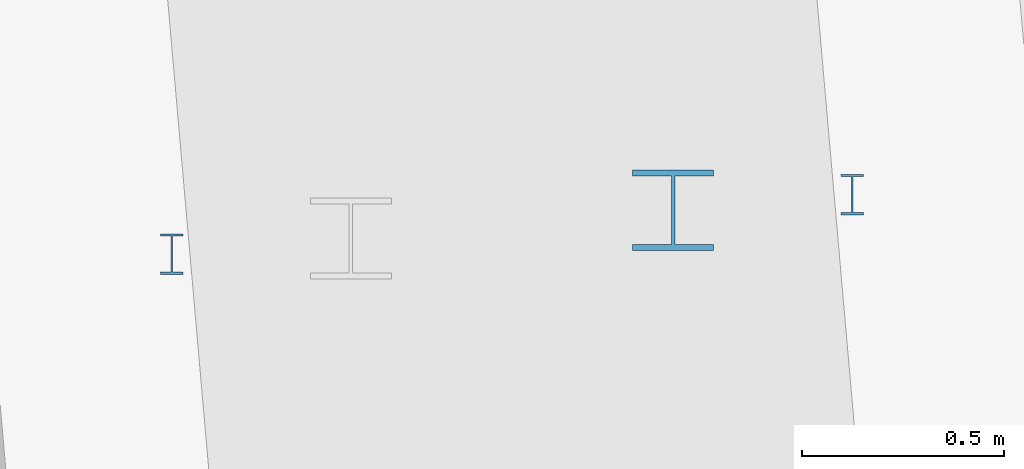
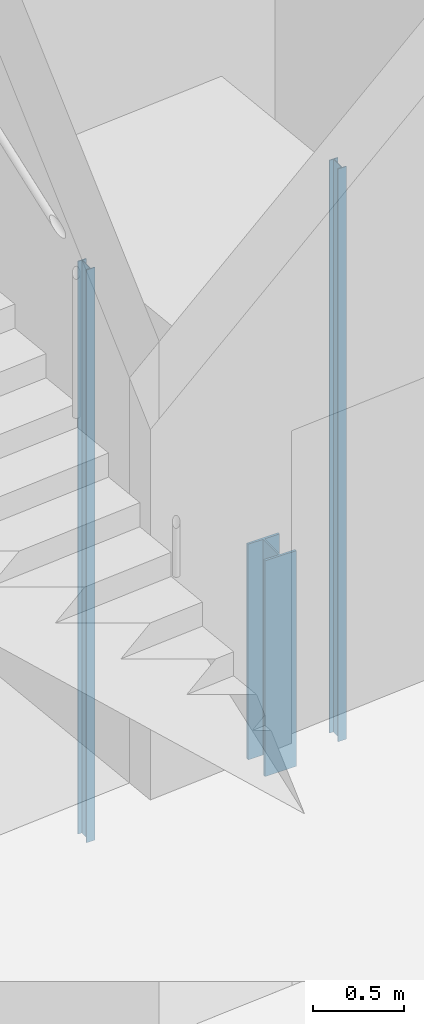
# One storey, part 25 of 65: 3 members.
"""IFC4 building model written with IfcOpenShell, lengths in metres."""

from ifc_helpers import new_model, si_unit, direction, frame, origin, origin_2d, place, context, subcontext, project, spatial, i_section, extrude, material, material_profile, profile_set, type_object, element, save


model = new_model("IFC4")

# Units and contexts
model_context = context("Model", 3, precision=1e-05, world=origin(), true_north=direction((0.0, 1.0)))
body_context = subcontext(model_context, "Body", "Model", "MODEL_VIEW")
ifc_project = project(units=[si_unit("LENGTHUNIT", "METRE"), si_unit("AREAUNIT", "SQUARE_METRE"), si_unit("VOLUMEUNIT", "CUBIC_METRE"), si_unit("PLANEANGLEUNIT", "RADIAN"), si_unit("MASSUNIT", "GRAM", prefix="KILO")], contexts=[model_context])

# Site, building, storey
site_placement = place(None, origin())
site = spatial("IfcSite", under=ifc_project, at=site_placement, CompositionType="ELEMENT")
building_placement = place(site_placement, origin())
building = spatial("IfcBuilding", under=site, at=building_placement, Name="Volute Hill Aquarium", CompositionType="ELEMENT")
storey_placement = place(building_placement, frame((0.0, 0.0, -5.5)))
storey = spatial("IfcBuildingStorey", under=building, at=storey_placement, Name="L00", CompositionType="ELEMENT", Elevation=-5.5)

# Members
ifc_material_1 = material(Name="Steel S355", Category="steel")
ifc_material_profile_1 = material_profile(ifc_material_1, i_section(OverallWidth=0.199951171875, OverallDepth=0.199951171875, WebThickness=0.009033203125, FlangeThickness=0.014892578125, at=origin_2d()), Name="HEB 200")
ifc_profile_set_1 = profile_set([ifc_material_profile_1], Name="Steel S355")
member_type_1 = type_object("IfcMemberType", Name="Lift buffer HEB 200", PredefinedType="POST", material=ifc_profile_set_1)
member_placement = place(storey_placement, frame((-5.370849609375, 48.767578125, -1.39990234375), z_axis=(0.0, 0.0, 1.0), x_axis=(1.0, 0.0, 0.0)))
element("IfcMember", 1, at=member_placement, inside=storey, type_object=member_type_1, Name="LB-S6-A 1", PredefinedType="POST", context=body_context, shape_type="SweptSolid", body=[
    extrude(i_section(OverallWidth=0.199951171875, OverallDepth=0.199951171875, WebThickness=0.009033203125, FlangeThickness=0.014892578125, at=origin_2d()), origin(), (0.0, 0.0, 1.0), 1.449951171875),
])
ifc_material_2 = material(Name="Steel S355", Category="steel")
ifc_material_profile_2 = material_profile(ifc_material_2, i_section(OverallWidth=0.054931640625, OverallDepth=0.10009765625, WebThickness=0.004150390625, FlangeThickness=0.005615234375, at=origin_2d()), Name="IPE 100")
ifc_profile_set_2 = profile_set([ifc_material_profile_2], Name="Steel S355")
member_type_2 = type_object("IfcMemberType", Name="Lift guide rail IPE 100", PredefinedType="POST", material=ifc_profile_set_2)
for number, where, z_axis, x_axis, name in (
    (2, (-4.927490234375, 48.806396484375, -1.39990234375), (0.0, 0.0, 1.0), (1.0, 0.0, 0.0), "LR-S6-A 1"),
    (3, (-6.611083984375, 48.658935546875, -1.39990234375), (0.0, 0.0, 1.0), (1.0, 0.0, 0.0), "LR-S6-A 2"),
):
    element("IfcMember", number, at=place(storey_placement, frame(where, z_axis=z_axis, x_axis=x_axis)), inside=storey, type_object=member_type_2, Name=name, PredefinedType="POST", context=body_context, shape_type="SweptSolid", body=[
        extrude(i_section(OverallWidth=0.054931640625, OverallDepth=0.10009765625, WebThickness=0.004150390625, FlangeThickness=0.005615234375, at=origin_2d()), origin(), (0.0, 0.0, 1.0), 3.849853515625),
    ])

save(model, "model.ifc")
